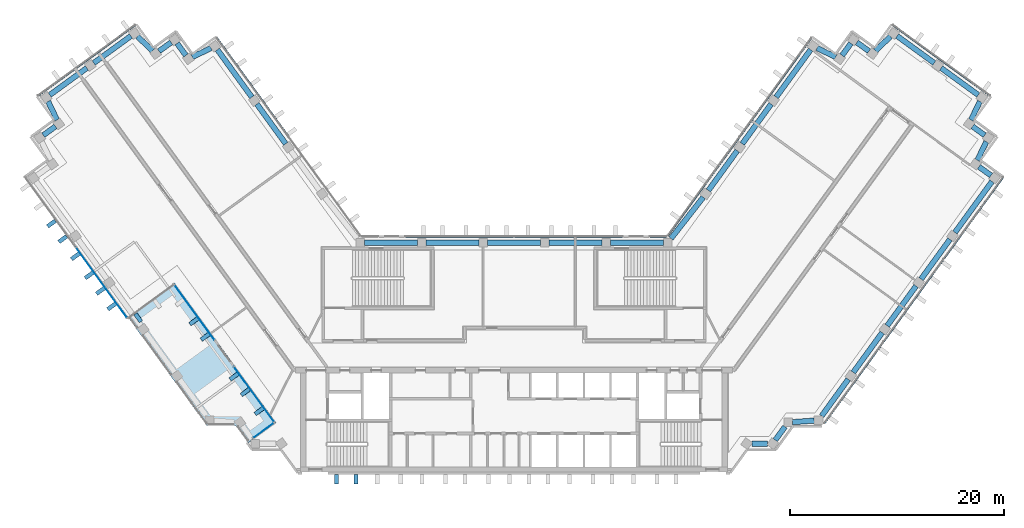
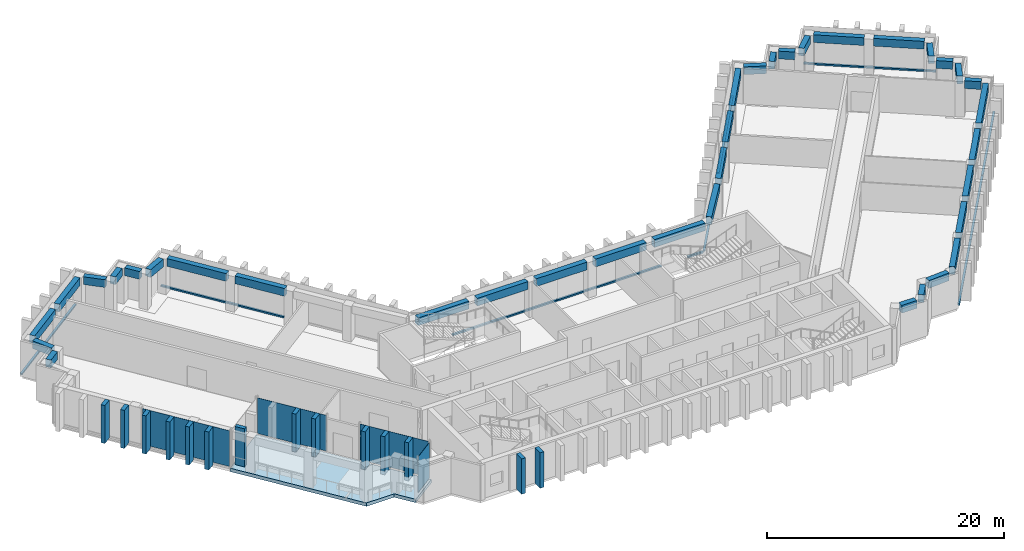
"""IFC4 building model written with IfcOpenShell, lengths in metres."""

from ifc_helpers import new_model, si_unit, direction, frame, origin, origin_2d, place, context, subcontext, project, spatial, polyline, rectangle, outline, extrude, material, layer, layer_set, material_profile, profile_set, type_object, element, aggregate, save


model = new_model("IFC4")

# Units and contexts
model_context = context("Model", 3, precision=1e-05, world=origin(), true_north=direction((0.0, 1.0)))
body_context = subcontext(model_context, "Body", "Model", "MODEL_VIEW")
ifc_project = project(units=[si_unit("LENGTHUNIT", "METRE"), si_unit("AREAUNIT", "SQUARE_METRE"), si_unit("VOLUMEUNIT", "CUBIC_METRE"), si_unit("PLANEANGLEUNIT", "RADIAN"), si_unit("MASSUNIT", "GRAM", prefix="KILO")], contexts=[model_context])

# Site, building, storey
site_placement = place(None, origin())
site = spatial("IfcSite", under=ifc_project, at=site_placement, CompositionType="ELEMENT")
building_placement = place(site_placement, origin())
building = spatial("IfcBuilding", under=site, at=building_placement, Name="Quipu Civic Tower", CompositionType="ELEMENT")
storey_1_placement = place(building_placement, frame((0.0, 0.0, 164.0)))
storey_1 = spatial("IfcBuildingStorey", under=building, at=storey_1_placement, Name="L38", CompositionType="ELEMENT", Elevation=164.0)

# Beams
ifc_material_1 = material(Name="Concrete C50/60", Category="concrete")
ifc_material_profile_1 = material_profile(ifc_material_1, rectangle(XDim=0.5, YDim=0.800048828125, at=origin_2d()), Name="RC500x800")
ifc_profile_set_1 = profile_set([ifc_material_profile_1], Name="Concrete C50/60")
beam_type = type_object("IfcBeamType", Name="Spandrel beam RC 500x800 C50/60", PredefinedType="SPANDREL", material=ifc_profile_set_1)
beam_1_placement = place(storey_1_placement, frame((-21.382568359375, 19.767333984375, 3.25), z_axis=(-0.587736122681, 0.809052686848, 0.0), x_axis=(-0.809052686848, -0.587736122681, 0.0)))
element("IfcBeam", 1, at=beam_1_placement, inside=storey_1, type_object=beam_type, Name="Spandrel beam L38 W-IN-02 to W-IN-03", PredefinedType="SPANDREL", context=body_context, shape_type="SweptSolid", body=[
    extrude(rectangle(XDim=0.5, YDim=0.800048828125, at=origin_2d()), origin(), (0.0, 0.0, 1.0), 4.60009765625),
])
beam_2_placement = place(storey_1_placement, frame((-24.556396484375, 24.13623046875, 3.25), z_axis=(-0.587664254196, 0.809104890815, 0.0), x_axis=(-0.809104890815, -0.587664254196, 0.0)))
element("IfcBeam", 2, at=beam_2_placement, inside=storey_1, type_object=beam_type, Name="Spandrel beam L38 W-IN-03 to T-Wi.0-W34", PredefinedType="SPANDREL", context=body_context, shape_type="SweptSolid", body=[
    extrude(rectangle(XDim=0.5, YDim=0.800048828125, at=origin_2d()), origin(), (0.0, 0.0, 1.0), 5.493896484375),
])
beam_3_placement = place(storey_1_placement, frame((-28.38720703125, 28.72998046875, 3.25), z_axis=(-0.902584802379, -0.430512107279, 0.0), x_axis=(0.430512107279, -0.902584802379, 0.0)))
element("IfcBeam", 3, at=beam_3_placement, inside=storey_1, type_object=beam_type, Name="Spandrel beam L38 T-Wi.0-W34 to T-Wi.1-W34", PredefinedType="SPANDREL", context=body_context, shape_type="SweptSolid", body=[
    extrude(rectangle(XDim=0.5, YDim=0.800048828125, at=origin_2d()), origin(), (0.0, 0.0, 1.0), 1.9326171875),
])
beam_4_placement = place(storey_1_placement, frame((-30.734375, 28.0458984375, 3.25), z_axis=(-0.589342949835, 0.80788296645, 0.0), x_axis=(-0.80788296645, -0.589342949835, 0.0)))
element("IfcBeam", 4, at=beam_4_placement, inside=storey_1, type_object=beam_type, Name="Spandrel beam L38 T-Wi.1-W34 to T-Wi.2-W34", PredefinedType="SPANDREL", context=body_context, shape_type="SweptSolid", body=[
    extrude(rectangle(XDim=0.5, YDim=0.800048828125, at=origin_2d()), origin(), (0.0, 0.0, 1.0), 1.39990234375),
])
beam_5_placement = place(storey_1_placement, frame((-32.118896484375, 29.26513671875, 3.25), z_axis=(-0.80941533633, -0.587236590578, 0.0), x_axis=(0.587236590578, -0.80941533633, 0.0)))
element("IfcBeam", 5, at=beam_5_placement, inside=storey_1, type_object=beam_type, Name="Spandrel beam L38 T-Wi.2-W34 to T-Wi.3-W34", PredefinedType="SPANDREL", context=body_context, shape_type="SweptSolid", body=[
    extrude(rectangle(XDim=0.5, YDim=0.800048828125, at=origin_2d()), origin(), (0.0, 0.0, 1.0), 1.397705078125),
])
beam_6_placement = place(storey_1_placement, frame((-33.868896484375, 28.489501953125, 3.25), z_axis=(-0.72519185421, 0.68854685722, 0.0), x_axis=(-0.68854685722, -0.72519185421, 0.0)))
element("IfcBeam", 6, at=beam_6_placement, inside=storey_1, type_object=beam_type, Name="Spandrel beam L38 T-Wi.3-W34 to T-Wi.4-W34", PredefinedType="SPANDREL", context=body_context, shape_type="SweptSolid", body=[
    extrude(rectangle(XDim=0.5, YDim=0.800048828125, at=origin_2d()), origin(), (0.0, 0.0, 1.0), 1.93212890625),
])
beam_7_placement = place(storey_1_placement, frame((-35.888671875, 29.86474609375, 3.25), z_axis=(-0.808983997561, -0.58783066583, 0.0), x_axis=(0.58783066583, -0.808983997561, 0.0)))
element("IfcBeam", 7, at=beam_7_placement, inside=storey_1, type_object=beam_type, Name="Spandrel beam L38 T-Wi.4-W34 to TIP-W-01-W34", PredefinedType="SPANDREL", context=body_context, shape_type="SweptSolid", body=[
    extrude(rectangle(XDim=0.5, YDim=0.800048828125, at=origin_2d()), origin(), (0.0, 0.0, 1.0), 4.2998046875),
])
beam_8_placement = place(storey_1_placement, frame((-40.014404296875, 26.866943359375, 3.25), z_axis=(-0.808947267178, -0.587881211578, 0.0), x_axis=(0.587881211578, -0.808947267178, 0.0)))
element("IfcBeam", 8, at=beam_8_placement, inside=storey_1, type_object=beam_type, Name="Spandrel beam L38 TIP-W-01-W34 to T-Wo.0-W34", PredefinedType="SPANDREL", context=body_context, shape_type="SweptSolid", body=[
    extrude(rectangle(XDim=0.5, YDim=0.800048828125, at=origin_2d()), origin(), (0.0, 0.0, 1.0), 4.29833984375),
])
beam_9_placement = place(storey_1_placement, frame((-43.64013671875, 23.737548828125, 3.25), z_axis=(0.429889421342, -0.902881545618, 0.0), x_axis=(0.902881545618, 0.429889421342, 0.0)))
element("IfcBeam", 9, at=beam_9_placement, inside=storey_1, type_object=beam_type, Name="Spandrel beam L38 T-Wo.0-W34 to T-Wo.1-W34", PredefinedType="SPANDREL", context=body_context, shape_type="SweptSolid", body=[
    extrude(rectangle(XDim=0.5, YDim=0.800048828125, at=origin_2d()), origin(), (0.0, 0.0, 1.0), 1.931396484375),
])
beam_10_placement = place(storey_1_placement, frame((-42.958740234375, 21.391357421875, 3.25), z_axis=(-0.809467380413, -0.587164849125, 0.0), x_axis=(0.587164849125, -0.809467380413, 0.0)))
element("IfcBeam", 10, at=beam_10_placement, inside=storey_1, type_object=beam_type, Name="Spandrel beam L38 T-Wo.1-W34 to T-Wo.2-W34", PredefinedType="SPANDREL", context=body_context, shape_type="SweptSolid", body=[
    extrude(rectangle(XDim=0.5, YDim=0.800048828125, at=origin_2d()), origin(), (0.0, 0.0, 1.0), 1.399169921875),
])
beam_11_placement = place(storey_1_placement, frame((22.2861328125, -8.31494140625, 3.25), z_axis=(1.0, 0.0, 0.0), x_axis=(0.0, 1.0, 0.0)))
element("IfcBeam", 11, at=beam_11_placement, inside=storey_1, type_object=beam_type, Name="Spandrel beam L38 J-Eo.1 to J-Eo.2", PredefinedType="SPANDREL", context=body_context, shape_type="SweptSolid", body=[
    extrude(rectangle(XDim=0.5, YDim=0.800048828125, at=origin_2d()), origin(), (0.0, 0.0, 1.0), 1.454345703125),
])
beam_12_placement = place(storey_1_placement, frame((24.470458984375, -7.991455078125, 3.25), z_axis=(0.588405601119, 0.808565920981, 0.0), x_axis=(-0.808565920981, 0.588405601119, 0.0)))
element("IfcBeam", 12, at=beam_12_placement, inside=storey_1, type_object=beam_type, Name="Spandrel beam L38 J-Eo.2 to J-Eo.3", PredefinedType="SPANDREL", context=body_context, shape_type="SweptSolid", body=[
    extrude(rectangle(XDim=0.5, YDim=0.800048828125, at=origin_2d()), origin(), (0.0, 0.0, 1.0), 1.55126953125),
])
beam_13_placement = place(storey_1_placement, frame((26.074462890625, -6.307861328125, 3.25), z_axis=(0.997372997143, 0.072436900614, 0.0), x_axis=(-0.072436900614, 0.997372997143, 0.0)))
element("IfcBeam", 13, at=beam_13_placement, inside=storey_1, type_object=beam_type, Name="Spandrel beam L38 J-Eo.3 to J-Eo.4", PredefinedType="SPANDREL", context=body_context, shape_type="SweptSolid", body=[
    extrude(rectangle(XDim=0.5, YDim=0.800048828125, at=origin_2d()), origin(), (0.0, 0.0, 1.0), 2.055908203125),
])
beam_14_placement = place(storey_1_placement, frame((28.815673828125, -5.72998046875, 3.25), z_axis=(0.58776850526, 0.809029161541, 0.0), x_axis=(-0.809029161541, 0.58776850526, 0.0)))
element("IfcBeam", 14, at=beam_14_placement, inside=storey_1, type_object=beam_type, Name="Spandrel beam L38 J-Eo.4 to E-OUT-01", PredefinedType="SPANDREL", context=body_context, shape_type="SweptSolid", body=[
    extrude(rectangle(XDim=0.5, YDim=0.800048828125, at=origin_2d()), origin(), (0.0, 0.0, 1.0), 4.249267578125),
])
beam_15_placement = place(storey_1_placement, frame((31.783447265625, -1.64501953125, 3.25), z_axis=(0.587796098864, 0.809009113768, 0.0), x_axis=(-0.809009113768, 0.587796098864, 0.0)))
element("IfcBeam", 15, at=beam_15_placement, inside=storey_1, type_object=beam_type, Name="Spandrel beam L38 E-OUT-01 to E-OUT-02", PredefinedType="SPANDREL", context=body_context, shape_type="SweptSolid", body=[
    extrude(rectangle(XDim=0.5, YDim=0.800048828125, at=origin_2d()), origin(), (0.0, 0.0, 1.0), 4.60009765625),
])
beam_16_placement = place(storey_1_placement, frame((34.95751953125, 2.7236328125, 3.25), z_axis=(0.58776136044, 0.809034352283, 0.0), x_axis=(-0.809034352283, 0.58776136044, 0.0)))
element("IfcBeam", 16, at=beam_16_placement, inside=storey_1, type_object=beam_type, Name="Spandrel beam L38 E-OUT-02 to E-OUT-03", PredefinedType="SPANDREL", context=body_context, shape_type="SweptSolid", body=[
    extrude(rectangle(XDim=0.5, YDim=0.800048828125, at=origin_2d()), origin(), (0.0, 0.0, 1.0), 4.599853515625),
])
beam_17_placement = place(storey_1_placement, frame((38.13134765625, 7.09228515625, 3.25), z_axis=(0.587770861189, 0.809027449928, 0.0), x_axis=(-0.809027449928, 0.587770861189, 0.0)))
element("IfcBeam", 17, at=beam_17_placement, inside=storey_1, type_object=beam_type, Name="Spandrel beam L38 E-OUT-03 to E-OUT-04", PredefinedType="SPANDREL", context=body_context, shape_type="SweptSolid", body=[
    extrude(rectangle(XDim=0.5, YDim=0.800048828125, at=origin_2d()), origin(), (0.0, 0.0, 1.0), 4.60009765625),
])
beam_18_placement = place(storey_1_placement, frame((41.305419921875, 11.461181640625, 3.25), z_axis=(0.58780026889, 0.809006083965, 0.0), x_axis=(-0.809006083965, 0.58780026889, 0.0)))
element("IfcBeam", 18, at=beam_18_placement, inside=storey_1, type_object=beam_type, Name="Spandrel beam L38 E-OUT-04 to T-Eo.0-E34", PredefinedType="SPANDREL", context=body_context, shape_type="SweptSolid", body=[
    extrude(rectangle(XDim=0.5, YDim=0.800048828125, at=origin_2d()), origin(), (0.0, 0.0, 1.0), 5.902587890625),
])
beam_19_placement = place(storey_1_placement, frame((44.6865234375, 16.79541015625, 3.25), z_axis=(-0.808600329101, 0.588358315805, 0.0), x_axis=(-0.588358315805, -0.808600329101, 0.0)))
element("IfcBeam", 19, at=beam_19_placement, inside=storey_1, type_object=beam_type, Name="Spandrel beam L38 T-Eo.0-E34 to T-Eo.1-E34", PredefinedType="SPANDREL", context=body_context, shape_type="SweptSolid", body=[
    extrude(rectangle(XDim=0.5, YDim=0.800048828125, at=origin_2d()), origin(), (0.0, 0.0, 1.0), 1.400146484375),
])
beam_20_placement = place(storey_1_placement, frame((43.40625, 18.2216796875, 3.25), z_axis=(0.430785642718, 0.902454281406, 0.0), x_axis=(-0.902454281406, 0.430785642718, 0.0)))
element("IfcBeam", 20, at=beam_20_placement, inside=storey_1, type_object=beam_type, Name="Spandrel beam L38 T-Eo.1-E34 to T-Eo.2-E34", PredefinedType="SPANDREL", context=body_context, shape_type="SweptSolid", body=[
    extrude(rectangle(XDim=0.5, YDim=0.800048828125, at=origin_2d()), origin(), (0.0, 0.0, 1.0), 1.934814453125),
])
beam_21_placement = place(storey_1_placement, frame((44.09130859375, 20.56982421875, 3.25), z_axis=(-0.809467380413, 0.587164849125, 0.0), x_axis=(-0.587164849125, -0.809467380413, 0.0)))
element("IfcBeam", 21, at=beam_21_placement, inside=storey_1, type_object=beam_type, Name="Spandrel beam L38 T-Eo.2-E34 to T-Eo.3-E34", PredefinedType="SPANDREL", context=body_context, shape_type="SweptSolid", body=[
    extrude(rectangle(XDim=0.5, YDim=0.800048828125, at=origin_2d()), origin(), (0.0, 0.0, 1.0), 1.399169921875),
])
beam_22_placement = place(storey_1_placement, frame((42.809814453125, 21.99365234375, 3.25), z_axis=(0.429889421342, 0.902881545618, 0.0), x_axis=(-0.902881545618, 0.429889421342, 0.0)))
element("IfcBeam", 22, at=beam_22_placement, inside=storey_1, type_object=beam_type, Name="Spandrel beam L38 T-Eo.3-E34 to T-Eo.4-E34", PredefinedType="SPANDREL", context=body_context, shape_type="SweptSolid", body=[
    extrude(rectangle(XDim=0.5, YDim=0.800048828125, at=origin_2d()), origin(), (0.0, 0.0, 1.0), 1.931396484375),
])
beam_23_placement = place(storey_1_placement, frame((43.491455078125, 24.340087890625, 3.25), z_axis=(-0.808947267178, 0.587881211578, 0.0), x_axis=(-0.587881211578, -0.808947267178, 0.0)))
element("IfcBeam", 23, at=beam_23_placement, inside=storey_1, type_object=beam_type, Name="Spandrel beam L38 T-Eo.4-E34 to TIP-E-01-E34", PredefinedType="SPANDREL", context=body_context, shape_type="SweptSolid", body=[
    extrude(rectangle(XDim=0.5, YDim=0.800048828125, at=origin_2d()), origin(), (0.0, 0.0, 1.0), 4.29833984375),
])
beam_24_placement = place(storey_1_placement, frame((39.3671875, 27.337158203125, 3.25), z_axis=(-0.808983997561, 0.58783066583, 0.0), x_axis=(-0.58783066583, -0.808983997561, 0.0)))
element("IfcBeam", 24, at=beam_24_placement, inside=storey_1, type_object=beam_type, Name="Spandrel beam L38 TIP-E-01-E34 to T-Ei.0-E34", PredefinedType="SPANDREL", context=body_context, shape_type="SweptSolid", body=[
    extrude(rectangle(XDim=0.5, YDim=0.800048828125, at=origin_2d()), origin(), (0.0, 0.0, 1.0), 4.2998046875),
])
beam_25_placement = place(storey_1_placement, frame((35.27001953125, 29.81982421875, 3.25), z_axis=(-0.72519185421, -0.68854685722, 0.0), x_axis=(0.68854685722, -0.72519185421, 0.0)))
element("IfcBeam", 25, at=beam_25_placement, inside=storey_1, type_object=beam_type, Name="Spandrel beam L38 T-Ei.0-E34 to T-Ei.1-E34", PredefinedType="SPANDREL", context=body_context, shape_type="SweptSolid", body=[
    extrude(rectangle(XDim=0.5, YDim=0.800048828125, at=origin_2d()), origin(), (0.0, 0.0, 1.0), 1.93212890625),
])
beam_26_placement = place(storey_1_placement, frame((33.250244140625, 28.4443359375, 3.25), z_axis=(-0.80941533633, 0.587236590578, 0.0), x_axis=(-0.587236590578, -0.80941533633, 0.0)))
element("IfcBeam", 26, at=beam_26_placement, inside=storey_1, type_object=beam_type, Name="Spandrel beam L38 T-Ei.1-E34 to T-Ei.2-E34", PredefinedType="SPANDREL", context=body_context, shape_type="SweptSolid", body=[
    extrude(rectangle(XDim=0.5, YDim=0.800048828125, at=origin_2d()), origin(), (0.0, 0.0, 1.0), 1.397705078125),
])
beam_27_placement = place(storey_1_placement, frame((31.559326171875, 29.1767578125, 3.25), z_axis=(-0.589342949835, -0.80788296645, 0.0), x_axis=(0.80788296645, -0.589342949835, 0.0)))
element("IfcBeam", 27, at=beam_27_placement, inside=storey_1, type_object=beam_type, Name="Spandrel beam L38 T-Ei.2-E34 to T-Ei.3-E34", PredefinedType="SPANDREL", context=body_context, shape_type="SweptSolid", body=[
    extrude(rectangle(XDim=0.5, YDim=0.800048828125, at=origin_2d()), origin(), (0.0, 0.0, 1.0), 1.39990234375),
])
beam_28_placement = place(storey_1_placement, frame((30.131591796875, 27.89794921875, 3.25), z_axis=(-0.902584802379, 0.430512107279, 0.0), x_axis=(-0.430512107279, -0.902584802379, 0.0)))
element("IfcBeam", 28, at=beam_28_placement, inside=storey_1, type_object=beam_type, Name="Spandrel beam L38 T-Ei.3-E34 to T-Ei.4-E34", PredefinedType="SPANDREL", context=body_context, shape_type="SweptSolid", body=[
    extrude(rectangle(XDim=0.5, YDim=0.800048828125, at=origin_2d()), origin(), (0.0, 0.0, 1.0), 1.9326171875),
])
beam_29_placement = place(storey_1_placement, frame((27.784912109375, 28.581298828125, 3.25), z_axis=(-0.587664254196, -0.809104890815, 0.0), x_axis=(0.809104890815, -0.587664254196, 0.0)))
element("IfcBeam", 29, at=beam_29_placement, inside=storey_1, type_object=beam_type, Name="Spandrel beam L38 T-Ei.4-E34 to E-IN-03", PredefinedType="SPANDREL", context=body_context, shape_type="SweptSolid", body=[
    extrude(rectangle(XDim=0.5, YDim=0.800048828125, at=origin_2d()), origin(), (0.0, 0.0, 1.0), 5.493896484375),
])
beam_30_placement = place(storey_1_placement, frame((24.086181640625, 23.489013671875, 3.25), z_axis=(-0.587736122681, -0.809052686848, 0.0), x_axis=(0.809052686848, -0.587736122681, 0.0)))
element("IfcBeam", 30, at=beam_30_placement, inside=storey_1, type_object=beam_type, Name="Spandrel beam L38 E-IN-03 to E-IN-02", PredefinedType="SPANDREL", context=body_context, shape_type="SweptSolid", body=[
    extrude(rectangle(XDim=0.5, YDim=0.800048828125, at=origin_2d()), origin(), (0.0, 0.0, 1.0), 4.60009765625),
])
beam_31_placement = place(storey_1_placement, frame((20.912353515625, 19.1201171875, 3.25), z_axis=(-0.58776136044, -0.809034352283, 0.0), x_axis=(0.809034352283, -0.58776136044, 0.0)))
element("IfcBeam", 31, at=beam_31_placement, inside=storey_1, type_object=beam_type, Name="Spandrel beam L38 E-IN-02 to E-IN-01", PredefinedType="SPANDREL", context=body_context, shape_type="SweptSolid", body=[
    extrude(rectangle(XDim=0.5, YDim=0.800048828125, at=origin_2d()), origin(), (0.0, 0.0, 1.0), 4.599853515625),
])
beam_32_placement = place(storey_1_placement, frame((17.72705078125, 14.759765625, 3.25), z_axis=(-0.616090612932, -0.787675286306, 0.0), x_axis=(0.787675286306, -0.616090612932, 0.0)))
element("IfcBeam", 32, at=beam_32_placement, inside=storey_1, type_object=beam_type, Name="Spandrel beam L38 E-IN-01 to J-Ei.0", PredefinedType="SPANDREL", context=body_context, shape_type="SweptSolid", body=[
    extrude(rectangle(XDim=0.5, YDim=0.800048828125, at=origin_2d()), origin(), (0.0, 0.0, 1.0), 4.900390625),
])
for number, where, z_axis, x_axis, name in (
    (33, (13.9951171875, 10.5, 3.25), (-1.0, 0.0, 0.0), (0.0, -1.0, 0.0), "Spandrel beam L38 J-Ei.0 to FRONT-01"),
    (34, (8.237060546875, 10.5, 3.25), (-1.0, 0.0, 0.0), (0.0, -1.0, 0.0), "Spandrel beam L38 FRONT-01 to FRONT-02"),
    (35, (2.47900390625, 10.5, 3.25), (-1.0, 0.0, 0.0), (0.0, -1.0, 0.0), "Spandrel beam L38 FRONT-02 to FRONT-03"),
    (36, (-3.279052734375, 10.5, 3.25), (-1.0, 0.0, 0.0), (0.0, -1.0, 0.0), "Spandrel beam L38 FRONT-03 to FRONT-04"),
    (37, (-9.037109375, 10.5, 3.25), (-1.0, 0.0, 0.0), (0.0, -1.0, 0.0), "Spandrel beam L38 FRONT-04 to J-Wi.0"),
):
    element("IfcBeam", number, at=place(storey_1_placement, frame(where, z_axis=z_axis, x_axis=x_axis)), inside=storey_1, type_object=beam_type, Name=name, PredefinedType="SPANDREL", context=body_context, shape_type="SweptSolid", body=[
        extrude(rectangle(XDim=0.5, YDim=0.800048828125, at=origin_2d()), origin(), (0.0, 0.0, 1.0), 4.9580078125),
    ])

# Storey
storey_2_placement = place(building_placement, frame((0.0, 0.0, 160.0)))
storey_2 = spatial("IfcBuildingStorey", under=building, at=storey_2_placement, Name="L37", CompositionType="ELEMENT", Elevation=160.0)

# Curtain wall, member
ifc_material_2 = material(Name="Insulated glass unit", Category="glass")
curtain_wall_type = type_object("IfcCurtainWallType", Name="Office curtain wall CW1", PredefinedType="NOTDEFINED", material=ifc_material_2)
curtain_wall_1_placement = place(storey_2_placement, origin())
curtain_wall_1 = element("IfcCurtainWall", 38, at=curtain_wall_1_placement, inside=storey_2, type_object=curtain_wall_type, Name="Office curtain wall CW1 L36 run 10", PredefinedType="NOTDEFINED")
ifc_material_3 = material(Name="Anodised aluminium", Category="aluminium")
ifc_material_profile_2 = material_profile(ifc_material_3, rectangle(XDim=0.199951171875, YDim=0.159912109375, at=origin_2d()), Name="RECT 200x160")
ifc_profile_set_2 = profile_set([ifc_material_profile_2], Name="Anodised aluminium")
member_type = type_object("IfcMemberType", Name="Transom CW1", PredefinedType="USERDEFINED", material=ifc_profile_set_2)
member_1_placement = place(storey_1_placement, frame((-21.140380859375, 20.453857421875, 0.080078125), z_axis=(-0.587775682251, 0.809023947331, 0.0), x_axis=(-0.809023947331, -0.587775682251, 0.0)))
member_1 = element("IfcMember", 39, at=member_1_placement, inside=storey_1, type_object=member_type, Name="CW1 transom 2.3", ObjectType="TRANSOM", PredefinedType="USERDEFINED", context=body_context, shape_type="SweptSolid", body=[
    extrude(rectangle(XDim=0.199951171875, YDim=0.159912109375, at=origin_2d()), origin(), (0.0, 0.0, 1.0), 11.402099609375),
])
aggregate(curtain_wall_1, [member_1])

curtain_wall_2_placement = place(storey_2_placement, origin())
curtain_wall_2 = element("IfcCurtainWall", 40, at=curtain_wall_2_placement, inside=storey_2, type_object=curtain_wall_type, Name="Office curtain wall CW1 L36 run 15", PredefinedType="NOTDEFINED")
member_2_placement = place(storey_1_placement, frame((-35.496826171875, 30.890869140625, 0.080078125), z_axis=(-0.809014959561, -0.587788052963, 0.0), x_axis=(0.587788052963, -0.809014959561, 0.0)))
member_2 = element("IfcMember", 41, at=member_2_placement, inside=storey_1, type_object=member_type, Name="CW1 transom 1.3", ObjectType="TRANSOM", PredefinedType="USERDEFINED", context=body_context, shape_type="SweptSolid", body=[
    extrude(rectangle(XDim=0.199951171875, YDim=0.159912109375, at=origin_2d()), origin(), (0.0, 0.0, 1.0), 11.239990234375),
])
aggregate(curtain_wall_2, [member_2])

# Curtain wall, members
curtain_wall_3_placement = place(storey_2_placement, origin())
curtain_wall_3 = element("IfcCurtainWall", 42, at=curtain_wall_3_placement, inside=storey_2, type_object=curtain_wall_type, Name="Office curtain wall CW1 L36 run 26", PredefinedType="NOTDEFINED")
member_3_placement = place(storey_1_placement, frame((29.052978515625, -6.424072265625, 0.080078125), z_axis=(0.587783783239, 0.809018061703, 0.0), x_axis=(-0.809018061703, 0.587783783239, 0.0)))
member_3 = element("IfcMember", 43, at=member_3_placement, inside=storey_1, type_object=member_type, Name="CW1 transom 1.3", ObjectType="TRANSOM", PredefinedType="USERDEFINED", context=body_context, shape_type="SweptSolid", body=[
    extrude(rectangle(XDim=0.199951171875, YDim=0.159912109375, at=origin_2d()), origin(), (0.0, 0.0, 1.0), 9.431884765625),
])
member_4_placement = place(storey_1_placement, frame((34.64404296875, 1.271240234375, 0.080078125), z_axis=(0.587773158676, 0.809025780763, 0.0), x_axis=(-0.809025780763, 0.587773158676, 0.0)))
member_4 = element("IfcMember", 44, at=member_4_placement, inside=storey_1, type_object=member_type, Name="CW1 transom 2.3", ObjectType="TRANSOM", PredefinedType="USERDEFINED", context=body_context, shape_type="SweptSolid", body=[
    extrude(rectangle(XDim=0.199951171875, YDim=0.159912109375, at=origin_2d()), origin(), (0.0, 0.0, 1.0), 9.471923828125),
])
member_5_placement = place(storey_1_placement, frame((40.258544921875, 8.9990234375, 0.080078125), z_axis=(0.587783783239, 0.809018061703, 0.0), x_axis=(-0.809018061703, 0.587783783239, 0.0)))
member_5 = element("IfcMember", 45, at=member_5_placement, inside=storey_1, type_object=member_type, Name="CW1 transom 3.3", ObjectType="TRANSOM", PredefinedType="USERDEFINED", context=body_context, shape_type="SweptSolid", body=[
    extrude(rectangle(XDim=0.199951171875, YDim=0.159912109375, at=origin_2d()), origin(), (0.0, 0.0, 1.0), 9.431884765625),
])
aggregate(curtain_wall_3, [member_3, member_4, member_5])

# Curtain wall, member
curtain_wall_4_placement = place(storey_2_placement, origin())
curtain_wall_4 = element("IfcCurtainWall", 46, at=curtain_wall_4_placement, inside=storey_2, type_object=curtain_wall_type, Name="Office curtain wall CW1 L36 run 31", PredefinedType="NOTDEFINED")
member_6_placement = place(storey_1_placement, frame((44.590087890625, 24.2841796875, 0.080078125), z_axis=(-0.809014959561, 0.587788052963, 0.0), x_axis=(-0.587788052963, -0.809014959561, 0.0)))
member_6 = element("IfcMember", 47, at=member_6_placement, inside=storey_1, type_object=member_type, Name="CW1 transom 1.3", ObjectType="TRANSOM", PredefinedType="USERDEFINED", context=body_context, shape_type="SweptSolid", body=[
    extrude(rectangle(XDim=0.199951171875, YDim=0.159912109375, at=origin_2d()), origin(), (0.0, 0.0, 1.0), 11.239990234375),
])
aggregate(curtain_wall_4, [member_6])

# Curtain wall, members
curtain_wall_5_placement = place(storey_2_placement, origin())
curtain_wall_5 = element("IfcCurtainWall", 48, at=curtain_wall_5_placement, inside=storey_2, type_object=curtain_wall_type, Name="Office curtain wall CW1 L36 run 36", PredefinedType="NOTDEFINED")
member_7_placement = place(storey_1_placement, frame((27.84228515625, 29.678466796875, 0.080078125), z_axis=(-0.587775682251, -0.809023947331, 0.0), x_axis=(0.809023947331, -0.587775682251, 0.0)))
member_7 = element("IfcMember", 49, at=member_7_placement, inside=storey_1, type_object=member_type, Name="CW1 transom 1.3", ObjectType="TRANSOM", PredefinedType="USERDEFINED", context=body_context, shape_type="SweptSolid", body=[
    extrude(rectangle(XDim=0.199951171875, YDim=0.159912109375, at=origin_2d()), origin(), (0.0, 0.0, 1.0), 11.402099609375),
])
member_8_placement = place(storey_1_placement, frame((21.09326171875, 20.38916015625, 0.080078125), z_axis=(-0.587799878401, -0.809006367683, 0.0), x_axis=(0.809006367683, -0.587799878401, 0.0)))
member_8 = element("IfcMember", 50, at=member_8_placement, inside=storey_1, type_object=member_type, Name="CW1 transom 2.3", ObjectType="TRANSOM", PredefinedType="USERDEFINED", context=body_context, shape_type="SweptSolid", body=[
    extrude(rectangle(XDim=0.199951171875, YDim=0.159912109375, at=origin_2d()), origin(), (0.0, 0.0, 1.0), 11.402099609375),
])
aggregate(curtain_wall_5, [member_7, member_8])

# Curtain wall, member
curtain_wall_6_placement = place(storey_2_placement, origin())
curtain_wall_6 = element("IfcCurtainWall", 51, at=curtain_wall_6_placement, inside=storey_2, type_object=curtain_wall_type, Name="Office curtain wall CW1 L36 run 37", PredefinedType="NOTDEFINED")
member_9_placement = place(storey_1_placement, frame((14.26416015625, 11.10009765625, 0.080078125), z_axis=(-1.0, 0.0, 0.0), x_axis=(0.0, -1.0, 0.0)))
member_9 = element("IfcMember", 52, at=member_9_placement, inside=storey_1, type_object=member_type, Name="CW1 transom 1.3", ObjectType="TRANSOM", PredefinedType="USERDEFINED", context=body_context, shape_type="SweptSolid", body=[
    extrude(rectangle(XDim=0.199951171875, YDim=0.159912109375, at=origin_2d()), origin(), (0.0, 0.0, 1.0), 1.529052734375),
])
aggregate(curtain_wall_6, [member_9])

# Curtain wall, members
curtain_wall_7_placement = place(storey_2_placement, origin())
curtain_wall_7 = element("IfcCurtainWall", 53, at=curtain_wall_7_placement, inside=storey_2, type_object=curtain_wall_type, Name="Office curtain wall CW1 L36 run 39", PredefinedType="NOTDEFINED")
member_10_placement = place(storey_1_placement, frame((10.18359375, 11.10009765625, 0.080078125), z_axis=(-1.0, 0.0, 0.0), x_axis=(0.0, -1.0, 0.0)))
member_10 = element("IfcMember", 54, at=member_10_placement, inside=storey_1, type_object=member_type, Name="CW1 transom 1.3", ObjectType="TRANSOM", PredefinedType="USERDEFINED", context=body_context, shape_type="SweptSolid", body=[
    extrude(rectangle(XDim=0.199951171875, YDim=0.159912109375, at=origin_2d()), origin(), (0.0, 0.0, 1.0), 10.1435546875),
])
member_11_placement = place(storey_1_placement, frame((-0.0400390625, 11.10009765625, 0.080078125), z_axis=(-1.0, 0.0, 0.0), x_axis=(0.0, -1.0, 0.0)))
member_11 = element("IfcMember", 55, at=member_11_placement, inside=storey_1, type_object=member_type, Name="CW1 transom 2.3", ObjectType="TRANSOM", PredefinedType="USERDEFINED", context=body_context, shape_type="SweptSolid", body=[
    extrude(rectangle(XDim=0.199951171875, YDim=0.159912109375, at=origin_2d()), origin(), (0.0, 0.0, 1.0), 10.1435546875),
])
aggregate(curtain_wall_7, [member_10, member_11])

# Curtain wall, plate
curtain_wall_8_placement = place(storey_1_placement, origin())
curtain_wall_8 = element("IfcCurtainWall", 56, at=curtain_wall_8_placement, inside=storey_1, type_object=curtain_wall_type, Name="Office curtain wall CW1 L38 run 1", PredefinedType="NOTDEFINED")
ifc_material_4 = material(Name="Insulated glass unit", Category="glass")
ifc_layer_1 = layer(ifc_material_4, 0.028076171875)
ifc_layer_set_1 = layer_set([ifc_layer_1], Name="Insulated glass unit")
plate_type_1 = type_object("IfcPlateType", Name="Glass panel CW1", PredefinedType="CURTAIN_PANEL", material=ifc_layer_set_1)
plate_1_placement = place(storey_1_placement, frame((-38.631591796875, 6.759521484375, 0.240234375), z_axis=(0.0, 0.0, 1.0), x_axis=(0.587788406981, -0.80901470235, 0.0)))
plate_1 = element("IfcPlate", 57, at=plate_1_placement, type_object=plate_type_1, Name="CW1 panel 2.1", PredefinedType="CURTAIN_PANEL", context=body_context, shape_type="SweptSolid", body=[
    extrude(rectangle(XDim=8.080078125, YDim=0.028076171875, at=origin_2d()), origin(), (0.0, 0.0, 1.0), 3.679931640625),
])
aggregate(curtain_wall_8, [plate_1])

curtain_wall_9_placement = place(storey_1_placement, origin())
curtain_wall_9 = element("IfcCurtainWall", 58, at=curtain_wall_9_placement, inside=storey_1, type_object=curtain_wall_type, Name="Office curtain wall CW1 L38 run 3", PredefinedType="NOTDEFINED")
plate_2_placement = place(storey_1_placement, frame((-29.92529296875, 3.963623046875, 0.240234375), z_axis=(0.0, 0.0, 1.0), x_axis=(0.587778491936, -0.809021906018, 0.0)))
plate_2 = element("IfcPlate", 59, at=plate_2_placement, type_object=plate_type_1, Name="CW1 panel 1.1", PredefinedType="CURTAIN_PANEL", context=body_context, shape_type="SweptSolid", body=[
    extrude(rectangle(XDim=6.358642578125, YDim=0.028076171875, at=origin_2d()), origin(), (0.0, 0.0, 1.0), 3.679931640625),
])
aggregate(curtain_wall_9, [plate_2])

curtain_wall_10_placement = place(storey_1_placement, origin())
curtain_wall_10 = element("IfcCurtainWall", 60, at=curtain_wall_10_placement, inside=storey_1, type_object=curtain_wall_type, Name="Office curtain wall CW1 L38 run 5", PredefinedType="NOTDEFINED")
plate_3_placement = place(storey_1_placement, frame((-24.352294921875, -3.70703125, 0.240234375), z_axis=(0.0, 0.0, 1.0), x_axis=(0.587783041125, -0.809018600878, 0.0)))
plate_3 = element("IfcPlate", 61, at=plate_3_placement, type_object=plate_type_1, Name="CW1 panel 1.1", PredefinedType="CURTAIN_PANEL", context=body_context, shape_type="SweptSolid", body=[
    extrude(rectangle(XDim=6.3583984375, YDim=0.028076171875, at=origin_2d()), origin(), (0.0, 0.0, 1.0), 3.679931640625),
])
aggregate(curtain_wall_10, [plate_3])

curtain_wall_11_placement = place(storey_1_placement, origin())
curtain_wall_11 = element("IfcCurtainWall", 62, at=curtain_wall_11_placement, inside=storey_1, type_object=curtain_wall_type, Name="Office curtain wall CW1 L38 run 6", PredefinedType="NOTDEFINED")
plate_4_placement = place(storey_1_placement, frame((-23.462158203125, -7.0888671875, 0.240234375), z_axis=(0.0, 0.0, 1.0), x_axis=(-0.809013999783, -0.587789373972, 0.0)))
plate_4 = element("IfcPlate", 63, at=plate_4_placement, type_object=plate_type_1, Name="CW1 panel 1.1", PredefinedType="CURTAIN_PANEL", context=body_context, shape_type="SweptSolid", body=[
    extrude(rectangle(XDim=2.37548828125, YDim=0.028076171875, at=origin_2d()), origin(), (0.0, 0.0, 1.0), 3.679931640625),
])
aggregate(curtain_wall_11, [plate_4])

# Plates
ifc_material_5 = material(Name="Precast concrete C40/50", Category="concrete")
plate_type_2 = type_object("IfcPlateType", Name="Precast fin F2", PredefinedType="SHEET", material=ifc_material_5)
for number, where, z_axis, x_axis, name in (
    (64, (-16.610107421875, -11.637939453125, 0.0), (0.0, 0.0, 1.0), (1.0, 0.0, 0.0), "Precast fin F2 L38.P12.1"),
    (65, (-14.81005859375, -11.637939453125, 0.0), (0.0, 0.0, 1.0), (1.0, 0.0, 0.0), "Precast fin F2 L38.P12.2"),
):
    element("IfcPlate", number, at=place(storey_1_placement, frame(where, z_axis=z_axis, x_axis=x_axis)), inside=storey_1, type_object=plate_type_2, Name=name, PredefinedType="SHEET", context=body_context, shape_type="SweptSolid", body=[
        extrude(rectangle(XDim=0.3798828125, YDim=0.89990234375, at=origin_2d()), origin(), (0.0, 0.0, 1.0), 3.64990234375),
    ])
for number, where, z_axis, x_axis, name in (
    (66, (-43.33203125, 12.293701171875, 0.080078125), (0.0, 0.0, 1.0), (0.587786610933, -0.809016007263, 0.0), "Precast fin F2 L38.1.3"),
    (67, (-42.27392578125, 10.83740234375, 0.080078125), (0.0, 0.0, 1.0), (0.587786610933, -0.809016007263, 0.0), "Precast fin F2 L38.1.4"),
    (68, (-41.098388671875, 9.21923828125, 0.080078125), (0.0, 0.0, 1.0), (0.587786610933, -0.809016007263, 0.0), "Precast fin F2 L38.1.5"),
    (69, (-39.80517578125, 7.439453125, 0.080078125), (0.0, 0.0, 1.0), (0.587786610933, -0.809016007263, 0.0), "Precast fin F2 L38.1.6"),
    (70, (-38.747314453125, 5.983154296875, 0.080078125), (0.0, 0.0, 1.0), (0.587786610933, -0.809016007263, 0.0), "Precast fin F2 L38.1.7"),
    (71, (-37.689208984375, 4.527099609375, 0.080078125), (0.0, 0.0, 1.0), (0.587786610933, -0.809016007263, 0.0), "Precast fin F2 L38.1.8"),
    (72, (-35.20703125, 3.475341796875, 0.080078125), (0.0, 0.0, 1.0), (0.809021075291, 0.587779635352, 0.0), "Precast fin F2 L38.2.1"),
    (73, (-29.99951171875, 3.130126953125, 0.080078125), (0.0, 0.0, 1.0), (0.587783675566, -0.809018139931, 0.0), "Precast fin F2 L38.3.2"),
    (74, (-28.941650390625, 1.673828125, 0.080078125), (0.0, 0.0, 1.0), (0.587783675566, -0.809018139931, 0.0), "Precast fin F2 L38.3.3"),
    (75, (-26.23779296875, -2.047607421875, 0.080078125), (0.0, 0.0, 1.0), (0.587783675566, -0.809018139931, 0.0), "Precast fin F2 L38.5.1"),
    (76, (-25.1796875, -3.50390625, 0.080078125), (0.0, 0.0, 1.0), (0.587783675566, -0.809018139931, 0.0), "Precast fin F2 L38.5.2"),
    (77, (-23.88671875, -5.28369140625, 0.080078125), (0.0, 0.0, 1.0), (0.587783675566, -0.809018139931, 0.0), "Precast fin F2 L38.5.3"),
):
    element("IfcPlate", number, at=place(storey_1_placement, frame(where, z_axis=z_axis, x_axis=x_axis)), inside=storey_1, type_object=plate_type_2, Name=name, PredefinedType="SHEET", context=body_context, shape_type="SweptSolid", body=[
        extrude(rectangle(XDim=0.3798828125, YDim=0.89990234375, at=origin_2d()), origin(), (0.0, 0.0, 1.0), 3.919921875),
    ])

# Slab
ifc_material_6 = material(Name="Concrete C40/50", Category="concrete")
ifc_layer_2 = layer(ifc_material_6, 0.35009765625)
ifc_layer_set_2 = layer_set([ifc_layer_2], Name="Concrete C40/50")
slab_type = type_object("IfcSlabType", Name="Terrace slab 350 C40/50", PredefinedType="FLOOR", material=ifc_layer_set_2)
slab_placement = place(storey_1_placement, frame((0.0, 0.0, -0.35009765625)))
element("IfcSlab", 78, at=slab_placement, inside=storey_1, type_object=slab_type, Name="Terrace slab L38", PredefinedType="FLOOR", context=body_context, shape_type="SweptSolid", body=[
    extrude(outline(polyline([(-28.780029296875, -6.6298828125), (-36.18994140625, 3.56494140625), (-31.820068359375, 6.739990234375), (-22.294921875, -6.364990234375), (-24.89990234375, -8.2548828125), (-26.080078125, -6.6298828125), (-28.780029296875, -6.6298828125)])), origin(), (0.0, 0.0, 1.0), 0.35009765625),
])

save(model, "model.ifc")
